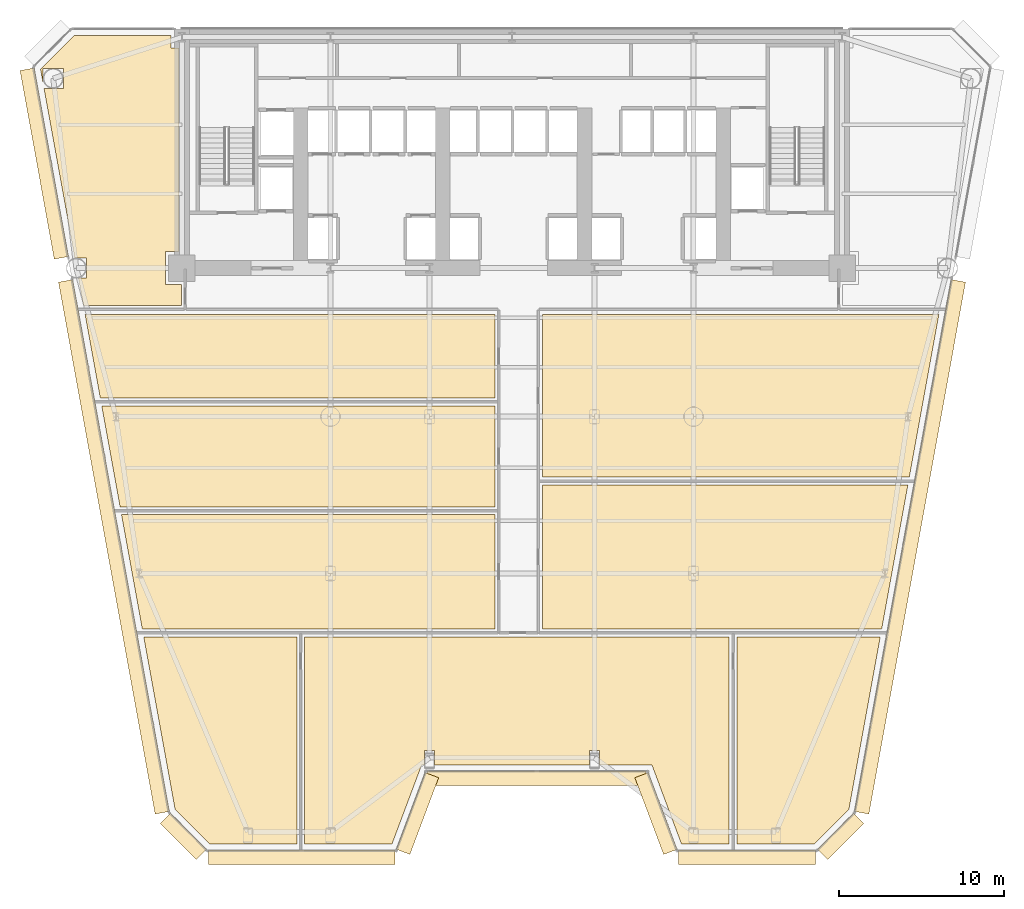
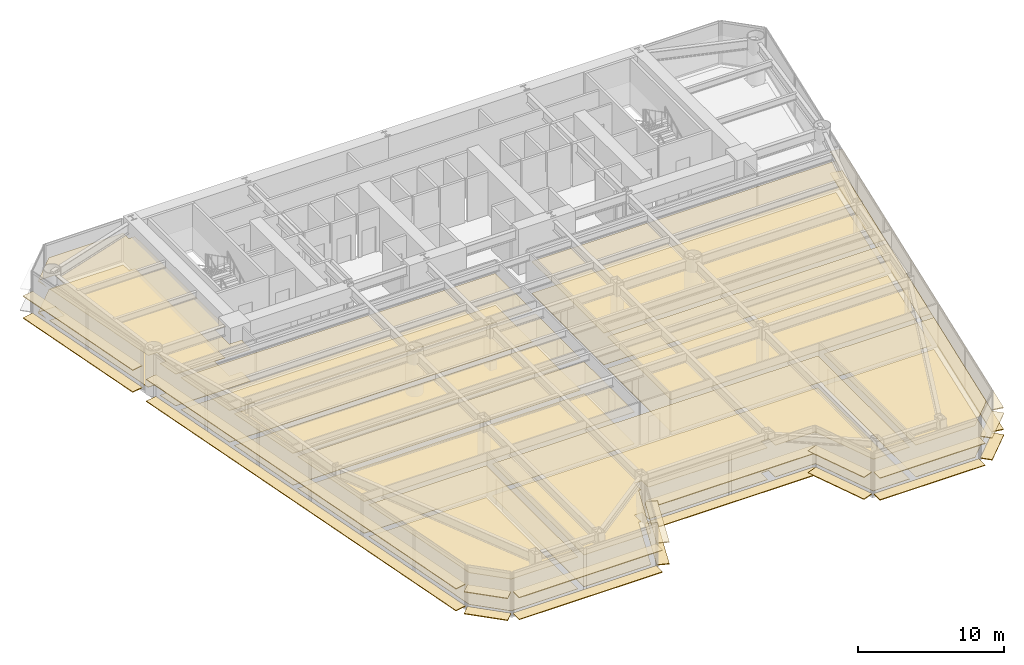
# One storey, part 11 of 14: 38 coverings.
"""IFC4 building model written with IfcOpenShell, lengths in metres."""

from ifc_helpers import new_model, si_unit, direction, frame, origin, origin_2d, place, context, subcontext, project, spatial, polyline, rectangle, outline, extrude, source, transform, mapped, material, layer, layer_set, type_object, element, save


model = new_model("IFC4")

# Units and contexts
model_context = context("Model", 3, precision=1e-05, world=origin(), true_north=direction((0.0, 1.0)))
body_context = subcontext(model_context, "Body", "Model", "MODEL_VIEW")
ifc_project = project(units=[si_unit("LENGTHUNIT", "METRE"), si_unit("AREAUNIT", "SQUARE_METRE"), si_unit("VOLUMEUNIT", "CUBIC_METRE"), si_unit("PLANEANGLEUNIT", "RADIAN"), si_unit("MASSUNIT", "GRAM", prefix="KILO")], contexts=[model_context])

# Site, building, storey
site_placement = place(None, origin())
site = spatial("IfcSite", under=ifc_project, at=site_placement, CompositionType="ELEMENT")
building_placement = place(site_placement, origin())
building = spatial("IfcBuilding", under=site, at=building_placement, Name="Vaeldorn Concourse Tower", CompositionType="ELEMENT")
storey_placement = place(building_placement, frame((0.0, 0.0, 37.800048828125)))
storey = spatial("IfcBuildingStorey", under=building, at=storey_placement, Name="L09", CompositionType="ELEMENT", Elevation=37.800048828125)

# Coverings
ifc_material_1 = material(Name="Acoustic Mineral Fibre Board", Category="gypsum")
ifc_layer_1 = layer(ifc_material_1, 0.0400390625)
ifc_layer_set_1 = layer_set([ifc_layer_1], Name="Acoustic Mineral Fibre Board")
covering_type_1 = type_object("IfcCoveringType", Name="COV-CEIL-ACOUSTIC", PredefinedType="CEILING", material=ifc_layer_set_1)
covering_1_placement = place(storey_placement, frame((0.0, 0.0, 2.64990234375)))
element("IfcCovering", 1, at=covering_1_placement, inside=storey, type_object=covering_type_1, Name="Suspended Acoustic Ceiling L09-3", PredefinedType="CEILING", context=body_context, shape_type="SweptSolid", body=[
    extrude(outline(polyline([(7.4658203125, 50.60009765625), (13.340087890625, 50.60009765625), (13.340087890625, 49.840087890625), (13.820068359375, 49.840087890625), (13.820068359375, 37.5), (13.0, 37.5), (13.0, 35.5), (13.9599609375, 35.5), (13.9599609375, 34.239990234375), (8.03515625, 34.239990234375), (7.735107421875, 35.890380859375), (8.20947265625, 35.890380859375), (8.20947265625, 37.109619140625), (7.513671875, 37.109619140625), (5.64453125, 47.390380859375), (6.8095703125, 47.390380859375), (6.8095703125, 48.609619140625), (5.590576171875, 48.609619140625), (5.590576171875, 47.688232421875), (5.43115234375, 48.565185546875), (7.4658203125, 50.60009765625)])), origin(), (0.0, 0.0, 1.0), 0.0400390625),
])
covering_2_placement = place(storey_placement, frame((0.0, 0.0, 2.64990234375)))
element("IfcCovering", 2, at=covering_2_placement, inside=storey, type_object=covering_type_1, Name="Suspended Acoustic Ceiling L09-5", PredefinedType="CEILING", context=body_context, shape_type="SweptSolid", body=[
    extrude(outline(polyline([(32.9599609375, 21.56005859375), (32.9599609375, 14.639892578125), (11.598388671875, 14.639892578125), (10.34033203125, 21.56005859375), (32.9599609375, 21.56005859375)])), origin(), (0.0, 0.0, 1.0), 0.0400390625),
])
covering_3_placement = place(storey_placement, frame((0.0, 0.0, 2.64990234375)))
element("IfcCovering", 3, at=covering_3_placement, inside=storey, type_object=covering_type_1, Name="Suspended Acoustic Ceiling L09-6", PredefinedType="CEILING", context=body_context, shape_type="SweptSolid", body=[
    extrude(outline(polyline([(32.9599609375, 28.159912109375), (32.9599609375, 22.0400390625), (10.253173828125, 22.0400390625), (9.140625, 28.159912109375), (32.9599609375, 28.159912109375)])), origin(), (0.0, 0.0, 1.0), 0.0400390625),
])
covering_4_placement = place(storey_placement, frame((0.0, 0.0, 2.64990234375)))
element("IfcCovering", 4, at=covering_4_placement, inside=storey, type_object=covering_type_1, Name="Suspended Acoustic Ceiling L09-7", PredefinedType="CEILING", context=body_context, shape_type="SweptSolid", body=[
    extrude(outline(polyline([(32.9599609375, 33.699951171875), (32.9599609375, 28.639892578125), (9.05322265625, 28.639892578125), (8.133544921875, 33.699951171875), (32.9599609375, 33.699951171875)])), origin(), (0.0, 0.0, 1.0), 0.0400390625),
])
covering_5_placement = place(storey_placement, frame((0.0, 0.0, 2.64990234375)))
element("IfcCovering", 5, at=covering_5_placement, inside=storey, type_object=covering_type_1, Name="Suspended Acoustic Ceiling L09-8", PredefinedType="CEILING", context=body_context, shape_type="SweptSolid", body=[
    extrude(outline(polyline([(35.840087890625, 14.639892578125), (35.840087890625, 23.360107421875), (57.98681640625, 23.360107421875), (56.401611328125, 14.639892578125), (35.840087890625, 14.639892578125)])), origin(), (0.0, 0.0, 1.0), 0.0400390625),
])
covering_6_placement = place(storey_placement, frame((0.0, 0.0, 2.64990234375)))
element("IfcCovering", 6, at=covering_6_placement, inside=storey, type_object=covering_type_1, Name="Suspended Acoustic Ceiling L09-9", PredefinedType="CEILING", context=body_context, shape_type="SweptSolid", body=[
    extrude(outline(polyline([(35.840087890625, 23.840087890625), (35.840087890625, 33.699951171875), (59.866455078125, 33.699951171875), (58.07421875, 23.840087890625), (35.840087890625, 23.840087890625)])), origin(), (0.0, 0.0, 1.0), 0.0400390625),
])
covering_7_placement = place(storey_placement, frame((0.0, 0.0, 2.64990234375)))
element("IfcCovering", 7, at=covering_7_placement, inside=storey, type_object=covering_type_1, Name="Suspended Acoustic Ceiling L09-10", PredefinedType="CEILING", context=body_context, shape_type="SweptSolid", body=[
    extrude(outline(polyline([(20.9599609375, 14.159912109375), (20.9599609375, 1.595458984375), (15.68359375, 1.595458984375), (13.589111328125, 3.68994140625), (11.685791015625, 14.159912109375), (20.9599609375, 14.159912109375)])), origin(), (0.0, 0.0, 1.0), 0.0400390625),
])
covering_8_placement = place(storey_placement, frame((0.0, 0.0, 2.64990234375)))
element("IfcCovering", 8, at=covering_8_placement, inside=storey, type_object=covering_type_1, Name="Suspended Acoustic Ceiling L09-11", PredefinedType="CEILING", context=body_context, shape_type="SweptSolid", body=[
    extrude(outline(polyline([(26.722900390625, 1.595458984375), (21.43994140625, 1.595458984375), (21.43994140625, 14.159912109375), (47.159912109375, 14.159912109375), (47.159912109375, 1.595458984375), (44.277099609375, 1.595458984375), (42.477294921875, 6.3955078125), (39.300048828125, 6.3955078125), (39.300048828125, 7.284423828125), (38.699951171875, 7.284423828125), (38.699951171875, 6.3955078125), (29.300048828125, 6.3955078125), (29.300048828125, 7.284423828125), (28.699951171875, 7.284423828125), (28.699951171875, 6.3955078125), (28.522705078125, 6.3955078125), (26.722900390625, 1.595458984375)])), origin(), (0.0, 0.0, 1.0), 0.0400390625),
])
covering_9_placement = place(storey_placement, frame((0.0, 0.0, 2.64990234375)))
element("IfcCovering", 9, at=covering_9_placement, inside=storey, type_object=covering_type_1, Name="Suspended Acoustic Ceiling L09-12", PredefinedType="CEILING", context=body_context, shape_type="SweptSolid", body=[
    extrude(outline(polyline([(52.31640625, 1.595458984375), (47.639892578125, 1.595458984375), (47.639892578125, 14.159912109375), (56.314208984375, 14.159912109375), (54.410888671875, 3.68994140625), (52.31640625, 1.595458984375)])), origin(), (0.0, 0.0, 1.0), 0.0400390625),
])
ifc_material_2 = material(Name="Honed Limestone Terrazzo Flooring", Category="masonry")
ifc_layer_2 = layer(ifc_material_2, 0.0400390625)
ifc_layer_set_2 = layer_set([ifc_layer_2], Name="Honed Limestone Terrazzo Flooring")
covering_type_2 = type_object("IfcCoveringType", Name="COV-FLOOR-STONE", PredefinedType="FLOORING", material=ifc_layer_set_2)
covering_10_placement = place(storey_placement, origin())
element("IfcCovering", 10, at=covering_10_placement, inside=storey, type_object=covering_type_2, Name="Floor Finish Covering L09-3", PredefinedType="FLOORING", context=body_context, shape_type="SweptSolid", body=[
    extrude(outline(polyline([(7.4658203125, 50.60009765625), (13.340087890625, 50.60009765625), (13.340087890625, 49.840087890625), (13.820068359375, 49.840087890625), (13.820068359375, 37.5), (13.0, 37.5), (13.0, 35.5), (13.9599609375, 35.5), (13.9599609375, 34.239990234375), (8.03515625, 34.239990234375), (7.735107421875, 35.890380859375), (8.20947265625, 35.890380859375), (8.20947265625, 37.109619140625), (7.513671875, 37.109619140625), (5.64453125, 47.390380859375), (6.8095703125, 47.390380859375), (6.8095703125, 48.609619140625), (5.590576171875, 48.609619140625), (5.590576171875, 47.688232421875), (5.43115234375, 48.565185546875), (7.4658203125, 50.60009765625)])), origin(), (0.0, 0.0, 1.0), 0.030029296875),
])
covering_11_placement = place(storey_placement, origin())
element("IfcCovering", 11, at=covering_11_placement, inside=storey, type_object=covering_type_2, Name="Floor Finish Covering L09-5", PredefinedType="FLOORING", context=body_context, shape_type="SweptSolid", body=[
    extrude(outline(polyline([(32.9599609375, 21.56005859375), (32.9599609375, 14.639892578125), (11.598388671875, 14.639892578125), (10.34033203125, 21.56005859375), (32.9599609375, 21.56005859375)])), origin(), (0.0, 0.0, 1.0), 0.030029296875),
])
covering_12_placement = place(storey_placement, origin())
element("IfcCovering", 12, at=covering_12_placement, inside=storey, type_object=covering_type_2, Name="Floor Finish Covering L09-6", PredefinedType="FLOORING", context=body_context, shape_type="SweptSolid", body=[
    extrude(outline(polyline([(32.9599609375, 28.159912109375), (32.9599609375, 22.0400390625), (10.253173828125, 22.0400390625), (9.140625, 28.159912109375), (32.9599609375, 28.159912109375)])), origin(), (0.0, 0.0, 1.0), 0.030029296875),
])
covering_13_placement = place(storey_placement, origin())
element("IfcCovering", 13, at=covering_13_placement, inside=storey, type_object=covering_type_2, Name="Floor Finish Covering L09-7", PredefinedType="FLOORING", context=body_context, shape_type="SweptSolid", body=[
    extrude(outline(polyline([(32.9599609375, 33.699951171875), (32.9599609375, 28.639892578125), (9.05322265625, 28.639892578125), (8.133544921875, 33.699951171875), (32.9599609375, 33.699951171875)])), origin(), (0.0, 0.0, 1.0), 0.030029296875),
])
covering_14_placement = place(storey_placement, origin())
element("IfcCovering", 14, at=covering_14_placement, inside=storey, type_object=covering_type_2, Name="Floor Finish Covering L09-8", PredefinedType="FLOORING", context=body_context, shape_type="SweptSolid", body=[
    extrude(outline(polyline([(35.840087890625, 14.639892578125), (35.840087890625, 23.360107421875), (57.98681640625, 23.360107421875), (56.401611328125, 14.639892578125), (35.840087890625, 14.639892578125)])), origin(), (0.0, 0.0, 1.0), 0.030029296875),
])
covering_15_placement = place(storey_placement, origin())
element("IfcCovering", 15, at=covering_15_placement, inside=storey, type_object=covering_type_2, Name="Floor Finish Covering L09-9", PredefinedType="FLOORING", context=body_context, shape_type="SweptSolid", body=[
    extrude(outline(polyline([(35.840087890625, 23.840087890625), (35.840087890625, 33.699951171875), (59.866455078125, 33.699951171875), (58.07421875, 23.840087890625), (35.840087890625, 23.840087890625)])), origin(), (0.0, 0.0, 1.0), 0.030029296875),
])
covering_16_placement = place(storey_placement, origin())
element("IfcCovering", 16, at=covering_16_placement, inside=storey, type_object=covering_type_2, Name="Floor Finish Covering L09-10", PredefinedType="FLOORING", context=body_context, shape_type="SweptSolid", body=[
    extrude(outline(polyline([(20.9599609375, 14.159912109375), (20.9599609375, 1.595458984375), (15.68359375, 1.595458984375), (13.589111328125, 3.68994140625), (11.685791015625, 14.159912109375), (20.9599609375, 14.159912109375)])), origin(), (0.0, 0.0, 1.0), 0.030029296875),
])
covering_17_placement = place(storey_placement, origin())
element("IfcCovering", 17, at=covering_17_placement, inside=storey, type_object=covering_type_2, Name="Floor Finish Covering L09-11", PredefinedType="FLOORING", context=body_context, shape_type="SweptSolid", body=[
    extrude(outline(polyline([(26.722900390625, 1.595458984375), (21.43994140625, 1.595458984375), (21.43994140625, 14.159912109375), (47.159912109375, 14.159912109375), (47.159912109375, 1.595458984375), (44.277099609375, 1.595458984375), (42.477294921875, 6.3955078125), (39.300048828125, 6.3955078125), (39.300048828125, 7.284423828125), (38.699951171875, 7.284423828125), (38.699951171875, 6.3955078125), (29.300048828125, 6.3955078125), (29.300048828125, 7.284423828125), (28.699951171875, 7.284423828125), (28.699951171875, 6.3955078125), (28.522705078125, 6.3955078125), (26.722900390625, 1.595458984375)])), origin(), (0.0, 0.0, 1.0), 0.030029296875),
])
covering_18_placement = place(storey_placement, origin())
element("IfcCovering", 18, at=covering_18_placement, inside=storey, type_object=covering_type_2, Name="Floor Finish Covering L09-12", PredefinedType="FLOORING", context=body_context, shape_type="SweptSolid", body=[
    extrude(outline(polyline([(52.31640625, 1.595458984375), (47.639892578125, 1.595458984375), (47.639892578125, 14.159912109375), (56.314208984375, 14.159912109375), (54.410888671875, 3.68994140625), (52.31640625, 1.595458984375)])), origin(), (0.0, 0.0, 1.0), 0.030029296875),
])
ifc_material_3 = material(Name="Anodised Bronze Aluminium", Category="aluminium")
ifc_layer_3 = layer(ifc_material_3, 0.06494140625)
ifc_layer_set_3 = layer_set([ifc_layer_3], Name="Anodised Bronze Aluminium")
covering_type_3 = type_object("IfcCoveringType", Name="SD-BRONZE-SUNSHADE", PredefinedType="USERDEFINED", material=ifc_layer_set_3)
shared_shape_1 = source(origin(), body_context, "Body", "SweptSolid", [
    extrude(rectangle(XDim=4.96630859375, YDim=0.8798828125, at=origin_2d()), origin(), (0.0, 0.0, 1.0), 0.06494140625),
])
for number, where, z_axis, x_axis, name in (
    (19, (28.2744140625, 3.455078125, 0.04736328125), (0.0, 0.0, 1.0), (0.351122702609, 0.936329454686, 0.0), "Horizontal Bronze Sunshade L09-E02.1.1"),
    (20, (28.2744140625, 3.455078125, 1.867431640625), (0.0, 0.0, 1.0), (0.351122702609, 0.936329454686, 0.0), "Horizontal Bronze Sunshade L09-E02.1.2"),
    (21, (42.7255859375, 3.455078125, 0.04736328125), (0.0, 0.0, 1.0), (0.351122702609, -0.936329454686, 0.0), "Horizontal Bronze Sunshade L09-E04.1.1"),
    (22, (42.7255859375, 3.455078125, 1.867431640625), (0.0, 0.0, 1.0), (0.351122702609, -0.936329454686, 0.0), "Horizontal Bronze Sunshade L09-E04.1.2"),
):
    element("IfcCovering", number, at=place(storey_placement, frame(where, z_axis=z_axis, x_axis=x_axis)), inside=storey, type_object=covering_type_3, Name=name, ObjectType="SUNSHADE", PredefinedType="USERDEFINED", context=body_context, shape_type="MappedRepresentation", body=[
        mapped(shared_shape_1, transform((0.0, 0.0, 0.0), scale=1.0)),
    ])
shared_shape_2 = source(origin(), body_context, "Body", "SweptSolid", [
    extrude(rectangle(XDim=13.239990234375, YDim=0.8798828125, at=origin_2d()), origin(), (0.0, 0.0, 1.0), 0.06494140625),
])
for number, where, z_axis, x_axis, name in (
    (23, (35.5, 5.595458984375, 0.04736328125), (0.0, 0.0, 1.0), (1.0, 0.0, 0.0), "Horizontal Bronze Sunshade L09-E03.1.1"),
    (24, (35.5, 5.595458984375, 1.867431640625), (0.0, 0.0, 1.0), (1.0, 0.0, 0.0), "Horizontal Bronze Sunshade L09-E03.1.2"),
):
    element("IfcCovering", number, at=place(storey_placement, frame(where, z_axis=z_axis, x_axis=x_axis)), inside=storey, type_object=covering_type_3, Name=name, ObjectType="SUNSHADE", PredefinedType="USERDEFINED", context=body_context, shape_type="MappedRepresentation", body=[
        mapped(shared_shape_2, transform((0.0, 0.0, 0.0), scale=1.0)),
    ])
shared_shape_3 = source(origin(), body_context, "Body", "SweptSolid", [
    extrude(rectangle(XDim=3.0927734375, YDim=0.8798828125, at=origin_2d()), origin(), (0.0, 0.0, 1.0), 0.06494140625),
])
for number, where, z_axis, x_axis, name in (
    (25, (53.9150390625, 2.0625, 0.04736328125), (0.0, 0.0, 1.0), (0.707106781187, 0.707106781187, 0.0), "Horizontal Bronze Sunshade L09-E06.1.1"),
    (26, (53.9150390625, 2.0625, 1.867431640625), (0.0, 0.0, 1.0), (0.707106781187, 0.707106781187, 0.0), "Horizontal Bronze Sunshade L09-E06.1.2"),
    (27, (14.0849609375, 2.0625, 0.04736328125), (0.0, 0.0, 1.0), (0.707106781187, -0.707106781187, 0.0), "Horizontal Bronze Sunshade L09-E12.1.1"),
    (28, (14.0849609375, 2.0625, 1.867431640625), (0.0, 0.0, 1.0), (0.707106781187, -0.707106781187, 0.0), "Horizontal Bronze Sunshade L09-E12.1.2"),
):
    element("IfcCovering", number, at=place(storey_placement, frame(where, z_axis=z_axis, x_axis=x_axis)), inside=storey, type_object=covering_type_3, Name=name, ObjectType="SUNSHADE", PredefinedType="USERDEFINED", context=body_context, shape_type="MappedRepresentation", body=[
        mapped(shared_shape_3, transform((0.0, 0.0, 0.0), scale=1.0)),
    ])
shared_shape_4 = source(origin(), body_context, "Body", "SweptSolid", [
    extrude(rectangle(XDim=11.322265625, YDim=0.8798828125, at=origin_2d()), origin(), (0.0, 0.0, 1.0), 0.06494140625),
])
for number, where, z_axis, x_axis, name in (
    (29, (21.2587890625, 0.79541015625, 0.04736328125), (0.0, 0.0, 1.0), (1.0, 0.0, 0.0), "Horizontal Bronze Sunshade L09-E01.1.1"),
    (30, (21.2587890625, 0.79541015625, 1.867431640625), (0.0, 0.0, 1.0), (1.0, 0.0, 0.0), "Horizontal Bronze Sunshade L09-E01.1.2"),
):
    element("IfcCovering", number, at=place(storey_placement, frame(where, z_axis=z_axis, x_axis=x_axis)), inside=storey, type_object=covering_type_3, Name=name, ObjectType="SUNSHADE", PredefinedType="USERDEFINED", context=body_context, shape_type="MappedRepresentation", body=[
        mapped(shared_shape_4, transform((0.0, 0.0, 0.0), scale=1.0)),
    ])
shared_shape_5 = source(origin(), body_context, "Body", "SweptSolid", [
    extrude(rectangle(XDim=8.322265625, YDim=0.8798828125, at=origin_2d()), origin(), (0.0, 0.0, 1.0), 0.06494140625),
])
for number, where, z_axis, x_axis, name in (
    (31, (48.2412109375, 0.79541015625, 0.04736328125), (0.0, 0.0, 1.0), (1.0, 0.0, 0.0), "Horizontal Bronze Sunshade L09-E05.1.1"),
    (32, (48.2412109375, 0.79541015625, 1.867431640625), (0.0, 0.0, 1.0), (1.0, 0.0, 0.0), "Horizontal Bronze Sunshade L09-E05.1.2"),
):
    element("IfcCovering", number, at=place(storey_placement, frame(where, z_axis=z_axis, x_axis=x_axis)), inside=storey, type_object=covering_type_3, Name=name, ObjectType="SUNSHADE", PredefinedType="USERDEFINED", context=body_context, shape_type="MappedRepresentation", body=[
        mapped(shared_shape_5, transform((0.0, 0.0, 0.0), scale=1.0)),
    ])
shared_shape_6 = source(origin(), body_context, "Body", "SweptSolid", [
    extrude(rectangle(XDim=32.755859375, YDim=0.8798828125, at=origin_2d()), origin(), (0.0, 0.0, 1.0), 0.06494140625),
])
for number, where, z_axis, x_axis, name in (
    (33, (58.119384765625, 19.616455078125, 0.04736328125), (0.0, 0.0, 1.0), (0.178853730971, 0.983875674523, 0.0), "Horizontal Bronze Sunshade L09-E07.1.1"),
    (34, (58.119384765625, 19.616455078125, 1.867431640625), (0.0, 0.0, 1.0), (0.178853730971, 0.983875674523, 0.0), "Horizontal Bronze Sunshade L09-E07.1.2"),
    (35, (9.880615234375, 19.616455078125, 0.04736328125), (0.0, 0.0, 1.0), (0.178853730971, -0.983875674523, 0.0), "Horizontal Bronze Sunshade L09-E11.2.1"),
    (36, (9.880615234375, 19.616455078125, 1.867431640625), (0.0, 0.0, 1.0), (0.178853730971, -0.983875674523, 0.0), "Horizontal Bronze Sunshade L09-E11.2.2"),
):
    element("IfcCovering", number, at=place(storey_placement, frame(where, z_axis=z_axis, x_axis=x_axis)), inside=storey, type_object=covering_type_3, Name=name, ObjectType="SUNSHADE", PredefinedType="USERDEFINED", context=body_context, shape_type="MappedRepresentation", body=[
        mapped(shared_shape_6, transform((0.0, 0.0, 0.0), scale=1.0)),
    ])
shared_shape_7 = source(origin(), body_context, "Body", "SweptSolid", [
    extrude(rectangle(XDim=11.6103515625, YDim=0.8798828125, at=origin_2d()), origin(), (0.0, 0.0, 1.0), 0.06494140625),
])
for number, where, z_axis, x_axis, name in (
    (37, (5.658935546875, 42.838134765625, 0.04736328125), (0.0, 0.0, 1.0), (0.178853730971, -0.983875674523, 0.0), "Horizontal Bronze Sunshade L09-E11.1.1"),
    (38, (5.658935546875, 42.838134765625, 1.867431640625), (0.0, 0.0, 1.0), (0.178853730971, -0.983875674523, 0.0), "Horizontal Bronze Sunshade L09-E11.1.2"),
):
    element("IfcCovering", number, at=place(storey_placement, frame(where, z_axis=z_axis, x_axis=x_axis)), inside=storey, type_object=covering_type_3, Name=name, ObjectType="SUNSHADE", PredefinedType="USERDEFINED", context=body_context, shape_type="MappedRepresentation", body=[
        mapped(shared_shape_7, transform((0.0, 0.0, 0.0), scale=1.0)),
    ])

save(model, "model.ifc")
